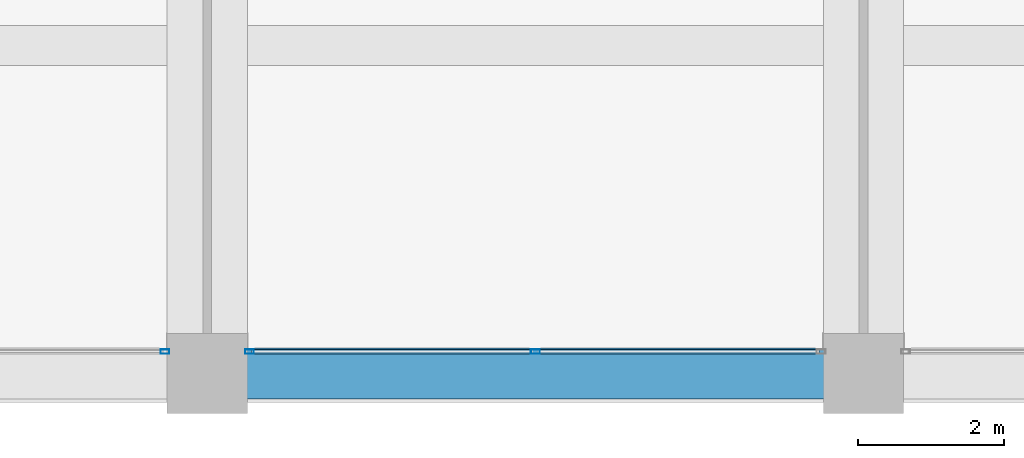
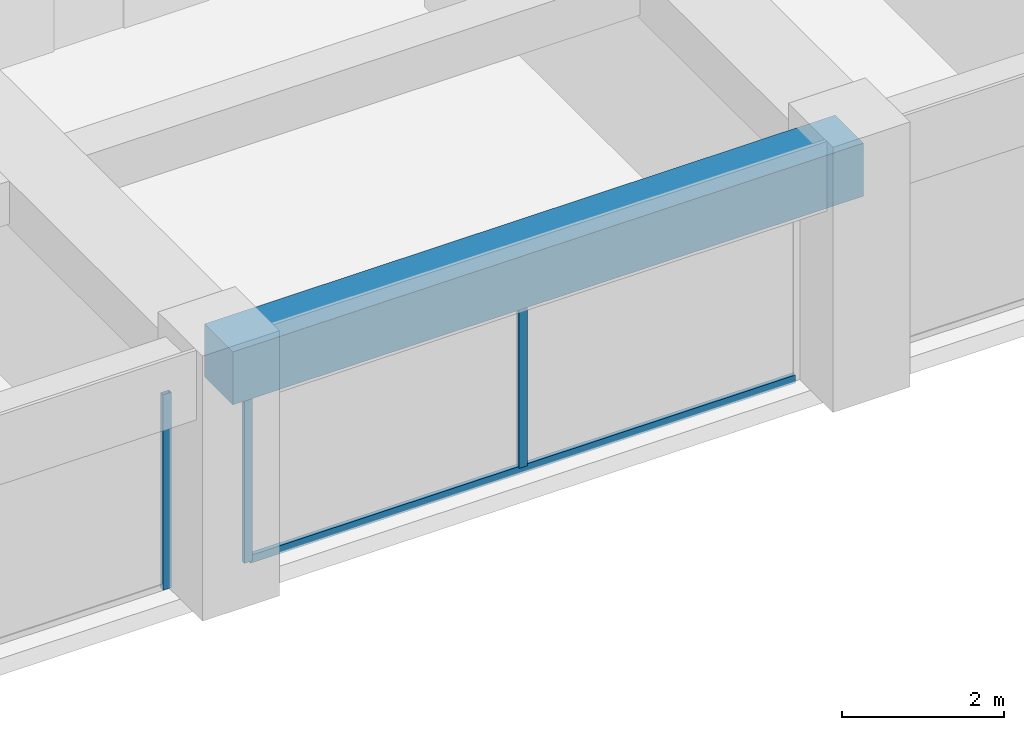
# One storey, part 9 of 45: 4 members, 1 beam, 2 elements without a shape of their own.
"""IFC4 building model written with IfcOpenShell, lengths in metres."""

from ifc_helpers import new_model, si_unit, direction, frame, origin, origin_2d, place, context, subcontext, project, spatial, rectangle, hollow_rectangle, extrude, material, material_profile, profile_set, type_object, element, aggregate, save


model = new_model("IFC4")

# Units and contexts
model_context = context("Model", 3, precision=1e-05, world=origin(), true_north=direction((0.0, 1.0)))
body_context = subcontext(model_context, "Body", "Model", "MODEL_VIEW")
ifc_project = project(units=[si_unit("LENGTHUNIT", "METRE"), si_unit("AREAUNIT", "SQUARE_METRE"), si_unit("VOLUMEUNIT", "CUBIC_METRE"), si_unit("PLANEANGLEUNIT", "RADIAN"), si_unit("MASSUNIT", "GRAM", prefix="KILO")], contexts=[model_context])

# Site, building, storey
site_placement = place(None, origin())
site = spatial("IfcSite", under=ifc_project, at=site_placement, CompositionType="ELEMENT")
building_placement = place(site_placement, origin())
building = spatial("IfcBuilding", under=site, at=building_placement, Name="Zorevar Civic Tower", CompositionType="ELEMENT")
storey_placement = place(building_placement, frame((0.0, 0.0, 303.39990234375)))
storey = spatial("IfcBuildingStorey", under=building, at=storey_placement, Name="L74", CompositionType="ELEMENT", Elevation=303.39990234375)

# Curtain wall, member
ifc_material_1 = material(Name="Dark grey solar-control glass in black aluminium frame", Category="aluminium")
curtain_wall_type = type_object("IfcCurtainWallType", Name="Curtain wall CW5 top zone", PredefinedType="NOTDEFINED", material=ifc_material_1)
curtain_wall_1_placement = place(storey_placement, origin())
curtain_wall_1 = element("IfcCurtainWall", 1, at=curtain_wall_1_placement, inside=storey, type_object=curtain_wall_type, Name="CW5 L74", PredefinedType="NOTDEFINED")
ifc_material_2 = material(Name="Aluminium, black anodised", Category="aluminium")
ifc_material_profile_1 = material_profile(ifc_material_2, hollow_rectangle(XDim=0.06005859375, YDim=0.1201171875, WallThickness=0.0029296875, at=origin_2d()), Name="AL 120x60x3")
ifc_profile_set_1 = profile_set([ifc_material_profile_1], Name="Aluminium, black anodised")
member_type_1 = type_object("IfcMemberType", Name="CW5 mullion AL 120x60x3", PredefinedType="MULLION", material=ifc_profile_set_1)
member_1_placement = place(storey_placement, frame((26.419921875, 0.300048828125, 0.0), z_axis=(0.0, 0.0, 1.0), x_axis=(0.0, 1.0, 0.0)))
member_1 = element("IfcMember", 2, at=member_1_placement, type_object=member_type_1, Name="CW5 mullion 3", PredefinedType="MULLION", context=body_context, shape_type="SweptSolid", body=[
    extrude(hollow_rectangle(XDim=0.06005859375, YDim=0.1201171875, WallThickness=0.0029296875, at=origin_2d()), origin(), (0.0, 0.0, 1.0), 2.9501953125),
])
aggregate(curtain_wall_1, [member_1])

# Curtain wall, members
curtain_wall_2_placement = place(storey_placement, origin())
curtain_wall_2 = element("IfcCurtainWall", 3, at=curtain_wall_2_placement, inside=storey, type_object=curtain_wall_type, Name="CW5 L74", PredefinedType="NOTDEFINED")
member_2_placement = place(storey_placement, frame((27.580078125, 0.300048828125, 0.0), z_axis=(0.0, 0.0, 1.0), x_axis=(0.0, 1.0, 0.0)))
member_2 = element("IfcMember", 4, at=member_2_placement, type_object=member_type_1, Name="CW5 mullion 1", PredefinedType="MULLION", context=body_context, shape_type="SweptSolid", body=[
    extrude(hollow_rectangle(XDim=0.06005859375, YDim=0.1201171875, WallThickness=0.0029296875, at=origin_2d()), origin(), (0.0, 0.0, 1.0), 2.9501953125),
])
member_3_placement = place(storey_placement, frame((31.5, 0.300048828125, 0.06005859375), z_axis=(0.0, 0.0, 1.0), x_axis=(0.0, 1.0, 0.0)))
member_3 = element("IfcMember", 5, at=member_3_placement, type_object=member_type_1, Name="CW5 mullion 2", PredefinedType="MULLION", context=body_context, shape_type="SweptSolid", body=[
    extrude(hollow_rectangle(XDim=0.06005859375, YDim=0.1201171875, WallThickness=0.0029296875, at=origin_2d()), origin(), (0.0, 0.0, 1.0), 2.89013671875),
])
ifc_material_3 = material(Name="Aluminium, black anodised", Category="aluminium")
ifc_material_profile_2 = material_profile(ifc_material_3, hollow_rectangle(XDim=0.06005859375, YDim=0.1201171875, WallThickness=0.0029296875, at=origin_2d()), Name="AL 120x60x3")
ifc_profile_set_2 = profile_set([ifc_material_profile_2], Name="Aluminium, black anodised")
member_type_2 = type_object("IfcMemberType", Name="CW5 transom AL 120x60x3", PredefinedType="USERDEFINED", material=ifc_profile_set_2)
member_4_placement = place(storey_placement, frame((27.610107421875, 0.300048828125, 0.030029296875), z_axis=(1.0, 0.0, 0.0), x_axis=(0.0, 1.0, 0.0)))
member_4 = element("IfcMember", 6, at=member_4_placement, type_object=member_type_2, Name="CW5 sill transom", ObjectType="TRANSOM", PredefinedType="USERDEFINED", context=body_context, shape_type="SweptSolid", body=[
    extrude(hollow_rectangle(XDim=0.06005859375, YDim=0.1201171875, WallThickness=0.0029296875, at=origin_2d()), origin(), (0.0, 0.0, 1.0), 7.77978515625),
])
aggregate(curtain_wall_2, [member_2, member_3, member_4])

# Beam
ifc_material_4 = material(Name="Concrete C50/60", Category="concrete")
ifc_material_profile_3 = material_profile(ifc_material_4, rectangle(XDim=0.699951171875, YDim=0.800048828125, at=origin_2d()), Name="RC 700x800")
ifc_profile_set_3 = profile_set([ifc_material_profile_3], Name="Concrete C50/60")
beam_type = type_object("IfcBeamType", Name="Edge beam RC 700x800", PredefinedType="SPANDREL", material=ifc_profile_set_3)
beam_placement = place(storey_placement, frame((27.0, 0.0, 3.35009765625), z_axis=(1.0, 0.0, 0.0), x_axis=(0.0, 1.0, 0.0)))
element("IfcBeam", 7, at=beam_placement, inside=storey, type_object=beam_type, Name="Edge beam L75", PredefinedType="SPANDREL", context=body_context, shape_type="SweptSolid", body=[
    extrude(rectangle(XDim=0.699951171875, YDim=0.800048828125, at=origin_2d()), origin(), (0.0, 0.0, 1.0), 9.0),
])

save(model, "model.ifc")
